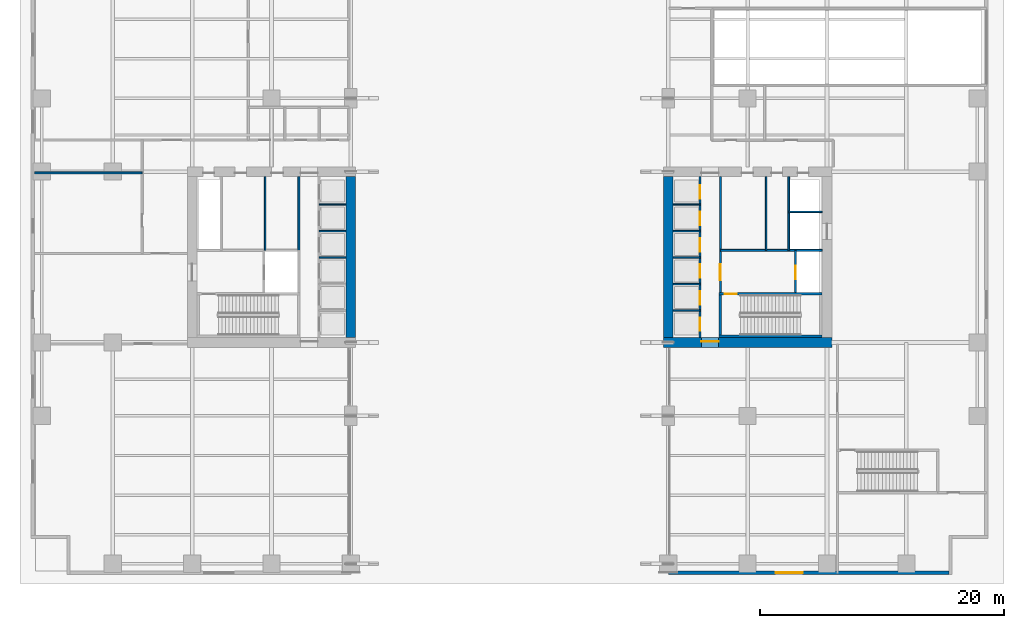
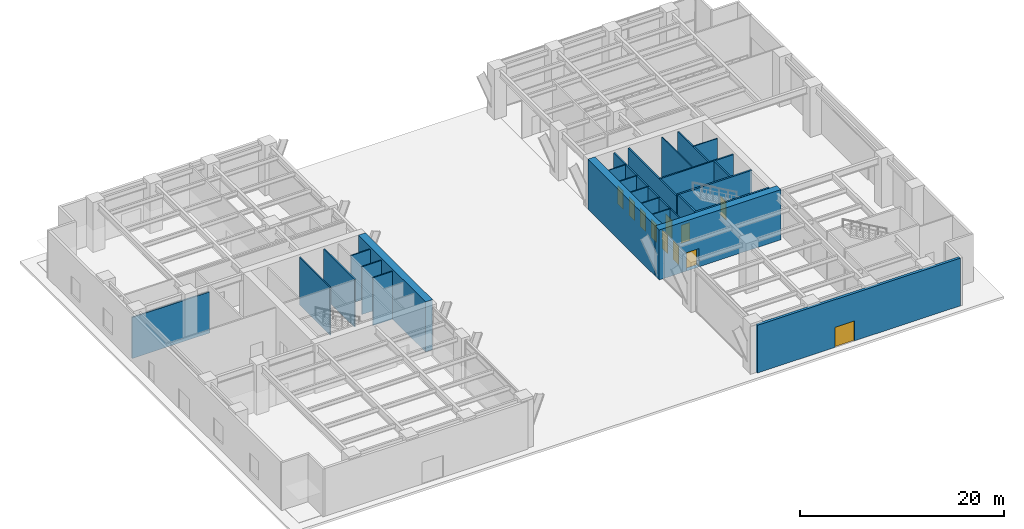
# One storey, part 13 of 20: 25 walls, 11 doors, 11 openings.
"""IFC4 building model written with IfcOpenShell, lengths in metres."""

from ifc_helpers import new_model, si_unit, direction, frame, frame_2d, origin, place, context, subcontext, project, spatial, rectangle, extrude, material, layer, layer_set, type_object, element, fill, save


model = new_model("IFC4")

# Units and contexts
model_context = context("Model", 3, precision=1e-05, world=origin(), true_north=direction((0.0, 1.0)))
body_context = subcontext(model_context, "Body", "Model", "MODEL_VIEW")
ifc_project = project(units=[si_unit("LENGTHUNIT", "METRE"), si_unit("AREAUNIT", "SQUARE_METRE"), si_unit("VOLUMEUNIT", "CUBIC_METRE"), si_unit("PLANEANGLEUNIT", "RADIAN"), si_unit("MASSUNIT", "GRAM", prefix="KILO")], contexts=[model_context])

# Site, building, storey
site_placement = place(None, origin())
site = spatial("IfcSite", under=ifc_project, at=site_placement, CompositionType="ELEMENT")
building_placement = place(site_placement, origin())
building = spatial("IfcBuilding", under=site, at=building_placement, Name="Putna Gate Headquarters", CompositionType="ELEMENT")
storey_placement = place(building_placement, origin())
storey = spatial("IfcBuildingStorey", under=building, at=storey_placement, Name="L00", CompositionType="ELEMENT", Elevation=0.0)

# Wall
ifc_material_1 = material(Name="Concrete C60/75", Category="concrete")
ifc_layer_1 = layer(ifc_material_1, 0.800048828125)
ifc_layer_set_1 = layer_set([ifc_layer_1], Name="Concrete C60/75")
wall_type_1 = type_object("IfcWallType", Name="WALL-CORE-800", PredefinedType="SHEAR", material=ifc_layer_set_1)
wall_1_placement = place(storey_placement, frame((26.0, 19.39990234375, 0.0), z_axis=(0.0, 0.0, 1.0), x_axis=(0.0, 1.0, 0.0)))
element("IfcWall", 1, at=wall_1_placement, inside=storey, type_object=wall_type_1, Name="L00 WC Split Core Shear Wall E", PredefinedType="SHEAR", context=body_context, shape_type="SweptSolid", body=[
    extrude(rectangle(XDim=13.2001953125, YDim=0.800048828125, at=frame_2d((6.60009765625, 0.0))), origin(), (0.0, 0.0, 1.0), 6.0),
])

# Wall, opening, door
wall_2_placement = place(storey_placement, frame((51.60009765625, 19.0, 0.0), z_axis=(0.0, 0.0, 1.0), x_axis=(1.0, 0.0, 0.0)))
wall_2 = element("IfcWall", 2, at=wall_2_placement, inside=storey, type_object=wall_type_1, Name="L00 EC Split Core Shear Wall S", PredefinedType="SHEAR", context=body_context, shape_type="SweptSolid", body=[
    extrude(rectangle(XDim=13.7998046875, YDim=0.800048828125, at=frame_2d((6.89990234375, 0.0))), origin(), (0.0, 0.0, 1.0), 6.0),
])
opening_1_placement = place(wall_2_placement, frame((3.1201171875, 0.0, 0.0)))
opening_1 = element("IfcOpeningElement", 3, at=opening_1_placement, cuts=wall_2, Name="Opening FDD-140", PredefinedType="OPENING", context=body_context, shape_type="SweptSolid", body=[
    extrude(rectangle(XDim=1.39990234375, YDim=2.199951171875, at=frame_2d((0.699951171875, 1.10009765625))), frame((0.0, 0.409912109375, 0.0), z_axis=(0.0, -1.0, 0.0), x_axis=(1.0, 0.0, 0.0)), (0.0, 0.0, 1.0), 0.820068359375),
])
ifc_material_2 = material(Name="Double steel fire door", Category="steel")
door_type_1 = type_object("IfcDoorType", Name="DOOR-FIRE-DBL-1400", OperationType="DOUBLE_DOOR_SINGLE_SWING", PredefinedType="DOOR", material=ifc_material_2)
door_1_placement = place(opening_1_placement, origin())
door_1 = element("IfcDoor", 4, at=door_1_placement, inside=storey, type_object=door_type_1, Name="L00 East Lift Lobby South Door", OperationType="DOUBLE_DOOR_SINGLE_SWING", OverallHeight=2.199951171875, OverallWidth=1.39990234375, PredefinedType="DOOR", context=body_context, shape_type="SweptSolid", body=[
    extrude(rectangle(XDim=1.39990234375, YDim=2.199951171875, at=frame_2d((0.699951171875, 1.10009765625))), frame((0.0, 0.125, 0.0), z_axis=(0.0, -1.0, 0.0), x_axis=(1.0, 0.0, 0.0)), (0.0, 0.0, 1.0), 0.050048828125),
])
fill(opening_1, door_1)

# Wall
wall_3_placement = place(storey_placement, frame((52.0, 19.39990234375, 0.0), z_axis=(0.0, 0.0, 1.0), x_axis=(0.0, 1.0, 0.0)))
element("IfcWall", 5, at=wall_3_placement, inside=storey, type_object=wall_type_1, Name="L00 EC Split Core Shear Wall W", PredefinedType="SHEAR", context=body_context, shape_type="SweptSolid", body=[
    extrude(rectangle(XDim=13.2001953125, YDim=0.800048828125, at=frame_2d((6.60009765625, 0.0))), origin(), (0.0, 0.0, 1.0), 6.0),
])

# Wall, opening, door
ifc_material_3 = material(Name="Precast concrete C40/50", Category="concrete")
ifc_layer_2 = layer(ifc_material_3, 0.300048828125)
ifc_layer_set_2 = layer_set([ifc_layer_2], Name="Precast concrete C40/50")
wall_type_2 = type_object("IfcWallType", Name="WALL-EXT-POD-300", PredefinedType="STANDARD", material=ifc_layer_set_2)
wall_4_placement = place(storey_placement, frame((75.0, 0.14990234375, 0.0), z_axis=(0.0, 0.0, 1.0), x_axis=(-1.0, 0.0, 0.0)))
wall_4 = element("IfcWall", 6, at=wall_4_placement, inside=storey, type_object=wall_type_2, Name="L00 South East Entrance Wall", PredefinedType="STANDARD", context=body_context, shape_type="SweptSolid", body=[
    extrude(rectangle(XDim=23.0, YDim=0.300048828125, at=frame_2d((11.5, 0.0))), origin(), (0.0, 0.0, 1.0), 5.719970703125),
])
opening_2_placement = place(wall_4_placement, frame((12.0, 0.0, 0.0)))
opening_2 = element("IfcOpeningElement", 7, at=opening_2_placement, cuts=wall_4, Name="Opening ED-03", PredefinedType="OPENING", context=body_context, shape_type="SweptSolid", body=[
    extrude(rectangle(XDim=2.199951171875, YDim=2.39990234375, at=frame_2d((1.10009765625, 1.199951171875))), frame((0.0, 0.159912109375, 0.0), z_axis=(0.0, -1.0, 0.0), x_axis=(1.0, 0.0, 0.0)), (0.0, 0.0, 1.0), 0.320068359375),
])
ifc_material_4 = material(Name="Anodised bronze aluminium glazed exit door", Category="aluminium")
door_type_2 = type_object("IfcDoorType", Name="DOOR-FINAL-ED-03", OperationType="DOUBLE_DOOR_SINGLE_SWING", PredefinedType="DOOR", material=ifc_material_4)
door_2_placement = place(opening_2_placement, origin())
door_2 = element("IfcDoor", 8, at=door_2_placement, inside=storey, type_object=door_type_2, Name="L00 Final Exit Discharge Door ED-03", OperationType="DOUBLE_DOOR_SINGLE_SWING", OverallHeight=2.39990234375, OverallWidth=2.199951171875, PredefinedType="DOOR", context=body_context, shape_type="SweptSolid", body=[
    extrude(rectangle(XDim=2.199951171875, YDim=2.39990234375, at=frame_2d((1.10009765625, 1.199951171875))), frame((0.0, 0.02490234375, 0.0), z_axis=(0.0, -1.0, 0.0), x_axis=(1.0, 0.0, 0.0)), (0.0, 0.0, 1.0), 0.050048828125),
])
fill(opening_2, door_2)

# Walls
ifc_material_5 = material(Name="Fire-rated shaftwall gypsum board on metal stud")
ifc_layer_3 = layer(ifc_material_5, 0.1201171875)
ifc_layer_set_3 = layer_set([ifc_layer_3], Name="Fire-rated shaftwall gypsum board on metal stud")
wall_type_3 = type_object("IfcWallType", Name="WALL-PART-120-EI120", PredefinedType="PARTITIONING", material=ifc_layer_set_3)
for number, where, z_axis, x_axis, name in (
    (9, (23.39990234375, 25.949951171875, 0.0), (0.0, 0.0, 1.0), (1.0, 0.0, 0.0), "L00 Interior Wall CWINT-L00-WC-LF05-DIV"),
    (10, (23.39990234375, 28.1201171875, 0.0), (0.0, 0.0, 1.0), (1.0, 0.0, 0.0), "L00 Interior Wall CWINT-L00-WC-LF06-DIV"),
    (11, (23.39990234375, 30.31005859375, 0.0), (0.0, 0.0, 1.0), (1.0, 0.0, 0.0), "L00 Interior Wall CWINT-L00-WC-LF09-DIV"),
    (12, (52.39990234375, 21.610107421875, 0.0), (0.0, 0.0, 1.0), (1.0, 0.0, 0.0), "L00 Interior Wall CWINT-L00-EC-LF03-DIV"),
    (13, (52.39990234375, 23.780029296875, 0.0), (0.0, 0.0, 1.0), (1.0, 0.0, 0.0), "L00 Interior Wall CWINT-L00-EC-LF04-DIV"),
    (14, (52.39990234375, 25.949951171875, 0.0), (0.0, 0.0, 1.0), (1.0, 0.0, 0.0), "L00 Interior Wall CWINT-L00-EC-LF07-DIV"),
    (15, (52.39990234375, 28.1201171875, 0.0), (0.0, 0.0, 1.0), (1.0, 0.0, 0.0), "L00 Interior Wall CWINT-L00-EC-LF08-DIV"),
    (16, (52.39990234375, 30.31005859375, 0.0), (0.0, 0.0, 1.0), (1.0, 0.0, 0.0), "L00 Interior Wall CWINT-L00-EC-LF11-DIV"),
):
    element("IfcWall", number, at=place(storey_placement, frame(where, z_axis=z_axis, x_axis=x_axis)), inside=storey, type_object=wall_type_3, Name=name, PredefinedType="PARTITIONING", context=body_context, shape_type="SweptSolid", body=[
        extrude(rectangle(XDim=2.2001953125, YDim=0.1201171875, at=frame_2d((1.10009765625, 0.0))), origin(), (0.0, 0.0, 1.0), 5.719970703125),
    ])
wall_5_placement = place(storey_placement, frame((61.8701171875, 29.699951171875, 0.0), z_axis=(0.0, 0.0, 1.0), x_axis=(1.0, 0.0, 0.0)))
element("IfcWall", 17, at=wall_5_placement, inside=storey, type_object=wall_type_3, Name="L00 Interior Wall CWINT-L00-EC-LF15-N", PredefinedType="PARTITIONING", context=body_context, shape_type="SweptSolid", body=[
    extrude(rectangle(XDim=2.72998046875, YDim=0.1201171875, at=frame_2d((1.364990234375, 0.0))), origin(), (0.0, 0.0, 1.0), 5.719970703125),
])
ifc_material_6 = material(Name="Fire-rated gypsum board on metal stud")
ifc_layer_4 = layer(ifc_material_6, 0.1201171875)
ifc_layer_set_4 = layer_set([ifc_layer_4], Name="Fire-rated gypsum board on metal stud")
wall_type_4 = type_object("IfcWallType", Name="WALL-PART-120-RATED", PredefinedType="PARTITIONING", material=ifc_layer_set_4)
for number, where, z_axis, x_axis, name in (
    (18, (18.969970703125, 26.56005859375, 0.0), (0.0, 0.0, 1.0), (0.0, 1.0, 0.0), "L00 Interior Wall CWINT-L00-WC-K0-DIV"),
    (19, (60.02001953125, 26.56005859375, 0.0), (0.0, 0.0, 1.0), (0.0, 1.0, 0.0), "L00 Interior Wall CWINT-L00-EC-K0-DIV"),
):
    element("IfcWall", number, at=place(storey_placement, frame(where, z_axis=z_axis, x_axis=x_axis)), inside=storey, type_object=wall_type_4, Name=name, PredefinedType="PARTITIONING", context=body_context, shape_type="SweptSolid", body=[
        extrude(rectangle(XDim=6.0400390625, YDim=0.1201171875, at=frame_2d((3.02001953125, 0.0))), origin(), (0.0, 0.0, 1.0), 5.719970703125),
    ])
ifc_material_7 = material(Name="Concrete C40/50", Category="concrete")
ifc_layer_5 = layer(ifc_material_7, 0.159912109375)
ifc_layer_set_5 = layer_set([ifc_layer_5], Name="Concrete C40/50")
wall_type_5 = type_object("IfcWallType", Name="WALL-SHAFT-160", PredefinedType="STANDARD", material=ifc_layer_set_5)
wall_6_placement = place(storey_placement, frame((21.739990234375, 26.56005859375, 0.0), z_axis=(0.0, 0.0, 1.0), x_axis=(0.0, 1.0, 0.0)))
element("IfcWall", 20, at=wall_6_placement, inside=storey, type_object=wall_type_5, Name="L00 Interior Wall CWINT-L00-WC-LOB-W", PredefinedType="STANDARD", context=body_context, shape_type="SweptSolid", body=[
    extrude(rectangle(XDim=6.0400390625, YDim=0.159912109375, at=frame_2d((3.02001953125, 0.0))), origin(), (0.0, 0.0, 1.0), 5.719970703125),
])

# Wall, openings, doors
wall_7_placement = place(storey_placement, frame((54.60009765625, 19.39990234375, 0.0), z_axis=(0.0, 0.0, 1.0), x_axis=(0.0, 1.0, 0.0)))
wall_7 = element("IfcWall", 21, at=wall_7_placement, inside=storey, type_object=wall_type_5, Name="L00 Interior Wall CWINT-L00-EC-PL-WALL", PredefinedType="STANDARD", context=body_context, shape_type="SweptSolid", body=[
    extrude(rectangle(XDim=13.2001953125, YDim=0.159912109375, at=frame_2d((6.60009765625, 0.0))), origin(), (0.0, 0.0, 1.0), 5.719970703125),
])
opening_3_placement = place(wall_7_placement, frame((0.550048828125, 0.0, 0.0)))
opening_3 = element("IfcOpeningElement", 22, at=opening_3_placement, cuts=wall_7, Name="Opening LD-1", PredefinedType="OPENING", context=body_context, shape_type="SweptSolid", body=[
    extrude(rectangle(XDim=1.10009765625, YDim=2.199951171875, at=frame_2d((0.550048828125, 1.10009765625))), frame((0.0, 0.08984375, 0.0), z_axis=(0.0, -1.0, 0.0), x_axis=(1.0, 0.0, 0.0)), (0.0, 0.0, 1.0), 0.179931640625),
])
opening_4_placement = place(wall_7_placement, frame((2.699951171875, 0.0, 0.0)))
opening_4 = element("IfcOpeningElement", 23, at=opening_4_placement, cuts=wall_7, Name="Opening LD-1", PredefinedType="OPENING", context=body_context, shape_type="SweptSolid", body=[
    extrude(rectangle(XDim=1.10009765625, YDim=2.199951171875, at=frame_2d((0.550048828125, 1.10009765625))), frame((0.0, 0.08984375, 0.0), z_axis=(0.0, -1.0, 0.0), x_axis=(1.0, 0.0, 0.0)), (0.0, 0.0, 1.0), 0.179931640625),
])
opening_5_placement = place(wall_7_placement, frame((4.89990234375, 0.0, 0.0)))
opening_5 = element("IfcOpeningElement", 24, at=opening_5_placement, cuts=wall_7, Name="Opening LD-1", PredefinedType="OPENING", context=body_context, shape_type="SweptSolid", body=[
    extrude(rectangle(XDim=1.10009765625, YDim=2.199951171875, at=frame_2d((0.550048828125, 1.10009765625))), frame((0.0, 0.08984375, 0.0), z_axis=(0.0, -1.0, 0.0), x_axis=(1.0, 0.0, 0.0)), (0.0, 0.0, 1.0), 0.179931640625),
])
opening_6_placement = place(wall_7_placement, frame((7.050048828125, 0.0, 0.0)))
opening_6 = element("IfcOpeningElement", 25, at=opening_6_placement, cuts=wall_7, Name="Opening LD-1", PredefinedType="OPENING", context=body_context, shape_type="SweptSolid", body=[
    extrude(rectangle(XDim=1.10009765625, YDim=2.199951171875, at=frame_2d((0.550048828125, 1.10009765625))), frame((0.0, 0.08984375, 0.0), z_axis=(0.0, -1.0, 0.0), x_axis=(1.0, 0.0, 0.0)), (0.0, 0.0, 1.0), 0.179931640625),
])
opening_7_placement = place(wall_7_placement, frame((9.199951171875, 0.0, 0.0)))
opening_7 = element("IfcOpeningElement", 26, at=opening_7_placement, cuts=wall_7, Name="Opening LD-1", PredefinedType="OPENING", context=body_context, shape_type="SweptSolid", body=[
    extrude(rectangle(XDim=1.10009765625, YDim=2.199951171875, at=frame_2d((0.550048828125, 1.10009765625))), frame((0.0, 0.08984375, 0.0), z_axis=(0.0, -1.0, 0.0), x_axis=(1.0, 0.0, 0.0)), (0.0, 0.0, 1.0), 0.179931640625),
])
opening_8_placement = place(wall_7_placement, frame((11.39990234375, 0.0, 0.0)))
opening_8 = element("IfcOpeningElement", 27, at=opening_8_placement, cuts=wall_7, Name="Opening LD-1", PredefinedType="OPENING", context=body_context, shape_type="SweptSolid", body=[
    extrude(rectangle(XDim=1.10009765625, YDim=2.199951171875, at=frame_2d((0.550048828125, 1.10009765625))), frame((0.0, 0.08984375, 0.0), z_axis=(0.0, -1.0, 0.0), x_axis=(1.0, 0.0, 0.0)), (0.0, 0.0, 1.0), 0.179931640625),
])
ifc_material_8 = material(Name="Brushed bronze stainless lift landing door")
door_type_3 = type_object("IfcDoorType", Name="DOOR-LIFT-1100", OperationType="DOUBLE_DOOR_SLIDING", PredefinedType="DOOR", material=ifc_material_8)
door_3_placement = place(opening_3_placement, origin())
door_3 = element("IfcDoor", 28, at=door_3_placement, inside=storey, type_object=door_type_3, Name="L00 Lift Landing Door LD-03", OperationType="DOUBLE_DOOR_SLIDING", OverallHeight=2.199951171875, OverallWidth=1.10009765625, PredefinedType="DOOR", context=body_context, shape_type="SweptSolid", body=[
    extrude(rectangle(XDim=1.10009765625, YDim=2.199951171875, at=frame_2d((0.550048828125, 1.10009765625))), frame((0.0, 0.02490234375, 0.0), z_axis=(0.0, -1.0, 0.0), x_axis=(1.0, 0.0, 0.0)), (0.0, 0.0, 1.0), 0.050048828125),
])
fill(opening_3, door_3)
door_4_placement = place(opening_4_placement, origin())
door_4 = element("IfcDoor", 29, at=door_4_placement, inside=storey, type_object=door_type_3, Name="L00 Lift Landing Door LD-04", OperationType="DOUBLE_DOOR_SLIDING", OverallHeight=2.199951171875, OverallWidth=1.10009765625, PredefinedType="DOOR", context=body_context, shape_type="SweptSolid", body=[
    extrude(rectangle(XDim=1.10009765625, YDim=2.199951171875, at=frame_2d((0.550048828125, 1.10009765625))), frame((0.0, 0.02490234375, 0.0), z_axis=(0.0, -1.0, 0.0), x_axis=(1.0, 0.0, 0.0)), (0.0, 0.0, 1.0), 0.050048828125),
])
fill(opening_4, door_4)
door_5_placement = place(opening_5_placement, origin())
door_5 = element("IfcDoor", 30, at=door_5_placement, inside=storey, type_object=door_type_3, Name="L00 Lift Landing Door LD-07", OperationType="DOUBLE_DOOR_SLIDING", OverallHeight=2.199951171875, OverallWidth=1.10009765625, PredefinedType="DOOR", context=body_context, shape_type="SweptSolid", body=[
    extrude(rectangle(XDim=1.10009765625, YDim=2.199951171875, at=frame_2d((0.550048828125, 1.10009765625))), frame((0.0, 0.02490234375, 0.0), z_axis=(0.0, -1.0, 0.0), x_axis=(1.0, 0.0, 0.0)), (0.0, 0.0, 1.0), 0.050048828125),
])
fill(opening_5, door_5)
door_6_placement = place(opening_6_placement, origin())
door_6 = element("IfcDoor", 31, at=door_6_placement, inside=storey, type_object=door_type_3, Name="L00 Lift Landing Door LD-08", OperationType="DOUBLE_DOOR_SLIDING", OverallHeight=2.199951171875, OverallWidth=1.10009765625, PredefinedType="DOOR", context=body_context, shape_type="SweptSolid", body=[
    extrude(rectangle(XDim=1.10009765625, YDim=2.199951171875, at=frame_2d((0.550048828125, 1.10009765625))), frame((0.0, 0.02490234375, 0.0), z_axis=(0.0, -1.0, 0.0), x_axis=(1.0, 0.0, 0.0)), (0.0, 0.0, 1.0), 0.050048828125),
])
fill(opening_6, door_6)
door_7_placement = place(opening_7_placement, origin())
door_7 = element("IfcDoor", 32, at=door_7_placement, inside=storey, type_object=door_type_3, Name="L00 Lift Landing Door LD-11", OperationType="DOUBLE_DOOR_SLIDING", OverallHeight=2.199951171875, OverallWidth=1.10009765625, PredefinedType="DOOR", context=body_context, shape_type="SweptSolid", body=[
    extrude(rectangle(XDim=1.10009765625, YDim=2.199951171875, at=frame_2d((0.550048828125, 1.10009765625))), frame((0.0, 0.02490234375, 0.0), z_axis=(0.0, -1.0, 0.0), x_axis=(1.0, 0.0, 0.0)), (0.0, 0.0, 1.0), 0.050048828125),
])
fill(opening_7, door_7)
door_8_placement = place(opening_8_placement, origin())
door_8 = element("IfcDoor", 33, at=door_8_placement, inside=storey, type_object=door_type_3, Name="L00 Lift Landing Door LD-12", OperationType="DOUBLE_DOOR_SLIDING", OverallHeight=2.199951171875, OverallWidth=1.10009765625, PredefinedType="DOOR", context=body_context, shape_type="SweptSolid", body=[
    extrude(rectangle(XDim=1.10009765625, YDim=2.199951171875, at=frame_2d((0.550048828125, 1.10009765625))), frame((0.0, 0.02490234375, 0.0), z_axis=(0.0, -1.0, 0.0), x_axis=(1.0, 0.0, 0.0)), (0.0, 0.0, 1.0), 0.050048828125),
])
fill(opening_8, door_8)

# Wall, opening, door
wall_8_placement = place(storey_placement, frame((56.260009765625, 23.090087890625, 0.0), z_axis=(0.0, 0.0, 1.0), x_axis=(0.0, 1.0, 0.0)))
wall_8 = element("IfcWall", 34, at=wall_8_placement, inside=storey, type_object=wall_type_5, Name="L00 Interior Wall CWINT-L00-EC-LOB-E", PredefinedType="STANDARD", context=body_context, shape_type="SweptSolid", body=[
    extrude(rectangle(XDim=9.510009765625, YDim=0.159912109375, at=frame_2d((4.7548828125, 0.0))), origin(), (0.0, 0.0, 1.0), 5.719970703125),
])
opening_9_placement = place(wall_8_placement, frame((1.010009765625, 0.0, 0.0)))
opening_9 = element("IfcOpeningElement", 35, at=opening_9_placement, cuts=wall_8, Name="Opening FDD-130", PredefinedType="OPENING", context=body_context, shape_type="SweptSolid", body=[
    extrude(rectangle(XDim=1.300048828125, YDim=2.199951171875, at=frame_2d((0.64990234375, 1.10009765625))), frame((0.0, 0.08984375, 0.0), z_axis=(0.0, -1.0, 0.0), x_axis=(1.0, 0.0, 0.0)), (0.0, 0.0, 1.0), 0.179931640625),
])
ifc_material_9 = material(Name="Double steel lobby fire door", Category="steel")
door_type_4 = type_object("IfcDoorType", Name="DOOR-FIRE-DBL-1300", OperationType="DOUBLE_DOOR_SINGLE_SWING", PredefinedType="DOOR", material=ifc_material_9)
door_9_placement = place(opening_9_placement, origin())
door_9 = element("IfcDoor", 36, at=door_9_placement, inside=storey, type_object=door_type_4, Name="L00 East Firefighting Lobby Door", OperationType="DOUBLE_DOOR_SINGLE_SWING", OverallHeight=2.199951171875, OverallWidth=1.300048828125, PredefinedType="DOOR", context=body_context, shape_type="SweptSolid", body=[
    extrude(rectangle(XDim=1.300048828125, YDim=2.199951171875, at=frame_2d((0.64990234375, 1.10009765625))), frame((0.0, 0.02490234375, 0.0), z_axis=(0.0, -1.0, 0.0), x_axis=(1.0, 0.0, 0.0)), (0.0, 0.0, 1.0), 0.050048828125),
])
fill(opening_9, door_9)

wall_9_placement = place(storey_placement, frame((62.429931640625, 23.090087890625, 0.0), z_axis=(0.0, 0.0, 1.0), x_axis=(0.0, 1.0, 0.0)))
wall_9 = element("IfcWall", 37, at=wall_9_placement, inside=storey, type_object=wall_type_5, Name="L00 Interior Wall CWINT-L00-EC-LF14-W", PredefinedType="STANDARD", context=body_context, shape_type="SweptSolid", body=[
    extrude(rectangle(XDim=3.469970703125, YDim=0.159912109375, at=frame_2d((1.73486328125, 0.0))), origin(), (0.0, 0.0, 1.0), 5.719970703125),
])
opening_10_placement = place(wall_9_placement, frame((1.10009765625, 0.0, 0.0)))
opening_10 = element("IfcOpeningElement", 38, at=opening_10_placement, cuts=wall_9, Name="Opening LD-1", PredefinedType="OPENING", context=body_context, shape_type="SweptSolid", body=[
    extrude(rectangle(XDim=1.10009765625, YDim=2.199951171875, at=frame_2d((0.550048828125, 1.10009765625))), frame((0.0, 0.08984375, 0.0), z_axis=(0.0, -1.0, 0.0), x_axis=(1.0, 0.0, 0.0)), (0.0, 0.0, 1.0), 0.179931640625),
])
door_10_placement = place(opening_10_placement, origin())
door_10 = element("IfcDoor", 39, at=door_10_placement, inside=storey, type_object=door_type_3, Name="L00 Lift Landing Door LD-14", OperationType="DOUBLE_DOOR_SLIDING", OverallHeight=2.199951171875, OverallWidth=1.10009765625, PredefinedType="DOOR", context=body_context, shape_type="SweptSolid", body=[
    extrude(rectangle(XDim=1.10009765625, YDim=2.199951171875, at=frame_2d((0.550048828125, 1.10009765625))), frame((0.0, 0.02490234375, 0.0), z_axis=(0.0, -1.0, 0.0), x_axis=(1.0, 0.0, 0.0)), (0.0, 0.0, 1.0), 0.050048828125),
])
fill(opening_10, door_10)

# Walls
wall_10_placement = place(storey_placement, frame((56.260009765625, 26.56005859375, 0.0), z_axis=(0.0, 0.0, 1.0), x_axis=(1.0, 0.0, 0.0)))
element("IfcWall", 40, at=wall_10_placement, inside=storey, type_object=wall_type_5, Name="L00 Interior Wall CWINT-L00-EC-FFL-N", PredefinedType="STANDARD", context=body_context, shape_type="SweptSolid", body=[
    extrude(rectangle(XDim=8.340087890625, YDim=0.159912109375, at=frame_2d((4.169921875, 0.0))), origin(), (0.0, 0.0, 1.0), 5.719970703125),
])
wall_11_placement = place(storey_placement, frame((61.8701171875, 26.56005859375, 0.0), z_axis=(0.0, 0.0, 1.0), x_axis=(0.0, 1.0, 0.0)))
element("IfcWall", 41, at=wall_11_placement, inside=storey, type_object=wall_type_5, Name="L00 Interior Wall CWINT-L00-EC-LF15-W", PredefinedType="STANDARD", context=body_context, shape_type="SweptSolid", body=[
    extrude(rectangle(XDim=6.0400390625, YDim=0.159912109375, at=frame_2d((3.02001953125, 0.0))), origin(), (0.0, 0.0, 1.0), 5.719970703125),
])
wall_12_placement = place(storey_placement, frame((0.10009765625, 32.89990234375, 0.0), z_axis=(0.0, 0.0, 1.0), x_axis=(1.0, 0.0, 0.0)))
element("IfcWall", 42, at=wall_12_placement, inside=storey, type_object=wall_type_5, Name="L00 Interior Wall PART-L00-FCC-N", PredefinedType="STANDARD", context=body_context, shape_type="SweptSolid", body=[
    extrude(rectangle(XDim=8.7998046875, YDim=0.159912109375, at=frame_2d((4.39990234375, 0.0))), origin(), (0.0, 0.0, 1.0), 4.919921875),
])
ifc_layer_6 = layer(ifc_material_7, 0.199951171875)
ifc_layer_set_6 = layer_set([ifc_layer_6], Name="Concrete C40/50")
wall_type_6 = type_object("IfcWallType", Name="WALL-SHAFT-RC200", PredefinedType="SHEAR", material=ifc_layer_set_6)
wall_13_placement = place(storey_placement, frame((56.159912109375, 19.510009765625, 0.0), z_axis=(0.0, 0.0, 1.0), x_axis=(1.0, 0.0, 0.0)))
element("IfcWall", 43, at=wall_13_placement, inside=storey, type_object=wall_type_6, Name="L00 Stair ST2 Structural Shaft Wall S", PredefinedType="SHEAR", context=body_context, shape_type="SweptSolid", body=[
    extrude(rectangle(XDim=8.43017578125, YDim=0.199951171875, at=frame_2d((4.215087890625, 0.0))), origin(), (0.0, 0.0, 1.0), 6.0),
])

# Wall, opening, door
wall_14_placement = place(storey_placement, frame((56.159912109375, 22.989990234375, 0.0), z_axis=(0.0, 0.0, 1.0), x_axis=(1.0, 0.0, 0.0)))
wall_14 = element("IfcWall", 44, at=wall_14_placement, inside=storey, type_object=wall_type_6, Name="L00 Stair ST2 Structural Shaft Wall N", PredefinedType="SHEAR", context=body_context, shape_type="SweptSolid", body=[
    extrude(rectangle(XDim=8.43017578125, YDim=0.199951171875, at=frame_2d((4.215087890625, 0.0))), origin(), (0.0, 0.0, 1.0), 6.0),
])
opening_11_placement = place(wall_14_placement, frame((0.449951171875, 0.0, 0.0)))
opening_11 = element("IfcOpeningElement", 45, at=opening_11_placement, cuts=wall_14, Name="Opening FD-100", PredefinedType="OPENING", context=body_context, shape_type="SweptSolid", body=[
    extrude(rectangle(XDim=1.0, YDim=2.14990234375, at=frame_2d((0.5, 1.074951171875))), frame((0.0, 0.10986328125, 0.0), z_axis=(0.0, -1.0, 0.0), x_axis=(1.0, 0.0, 0.0)), (0.0, 0.0, 1.0), 0.219970703125),
])
ifc_material_10 = material(Name="Powder-coated steel fire door", Category="steel")
door_type_5 = type_object("IfcDoorType", Name="DOOR-FIRE-1000", OperationType="NOTDEFINED", PredefinedType="DOOR", material=ifc_material_10)
door_11_placement = place(opening_11_placement, origin())
door_11 = element("IfcDoor", 46, at=door_11_placement, inside=storey, type_object=door_type_5, Name="L00 Stair ST2 Fire Door", OperationType="SINGLE_SWING_RIGHT", OverallHeight=2.14990234375, OverallWidth=1.0, PredefinedType="DOOR", context=body_context, shape_type="SweptSolid", body=[
    extrude(rectangle(XDim=1.0, YDim=2.14990234375, at=frame_2d((0.5, 1.074951171875))), frame((0.0, 0.02490234375, 0.0), z_axis=(0.0, -1.0, 0.0), x_axis=(1.0, 0.0, 0.0)), (0.0, 0.0, 1.0), 0.050048828125),
])
fill(opening_11, door_11)

# Wall
wall_15_placement = place(storey_placement, frame((56.260009765625, 19.610107421875, 0.0), z_axis=(0.0, 0.0, 1.0), x_axis=(0.0, 1.0, 0.0)))
element("IfcWall", 47, at=wall_15_placement, inside=storey, type_object=wall_type_6, Name="L00 Stair ST2 Structural Shaft Wall W", PredefinedType="SHEAR", context=body_context, shape_type="SweptSolid", body=[
    extrude(rectangle(XDim=3.27978515625, YDim=0.199951171875, at=frame_2d((1.639892578125, 0.0))), origin(), (0.0, 0.0, 1.0), 6.0),
])

save(model, "model.ifc")
